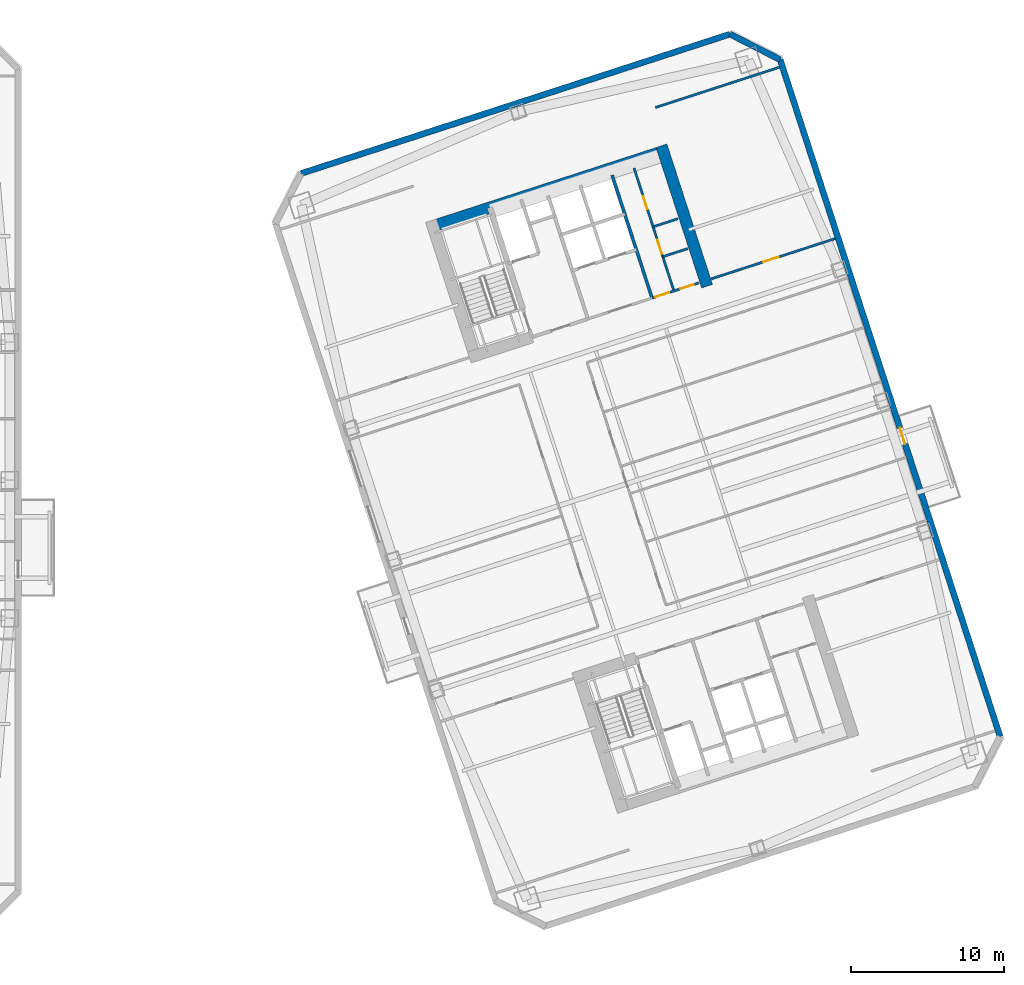
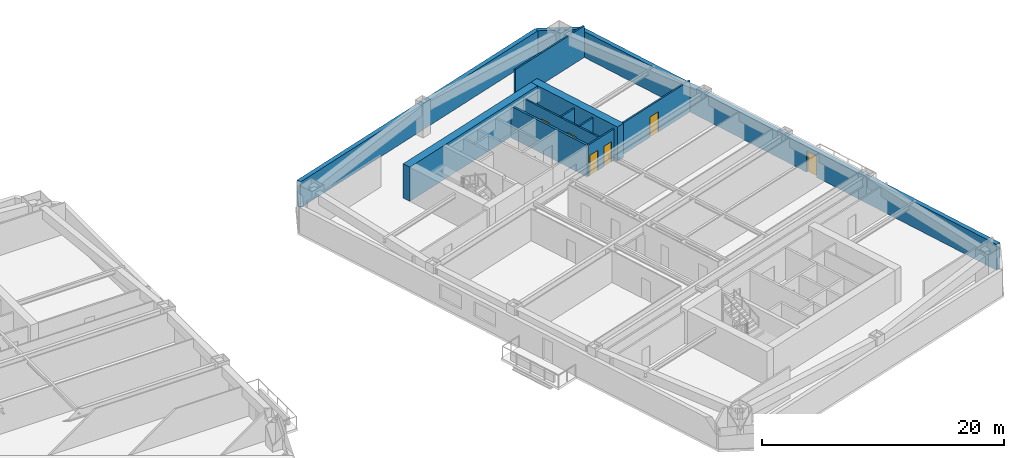
# One storey, part 10 of 15: 12 walls, 6 doors, 6 openings.
"""IFC4 building model written with IfcOpenShell, lengths in metres."""

from ifc_helpers import new_model, si_unit, direction, frame, frame_2d, origin, place, context, subcontext, project, spatial, rectangle, extrude, material, layer, layer_set, type_object, element, fill, save


model = new_model("IFC4")

# Units and contexts
model_context = context("Model", 3, precision=1e-05, world=origin(), true_north=direction((0.0, 1.0)))
body_context = subcontext(model_context, "Body", "Model", "MODEL_VIEW")
ifc_project = project(units=[si_unit("LENGTHUNIT", "METRE"), si_unit("AREAUNIT", "SQUARE_METRE"), si_unit("VOLUMEUNIT", "CUBIC_METRE"), si_unit("PLANEANGLEUNIT", "RADIAN"), si_unit("MASSUNIT", "GRAM", prefix="KILO")], contexts=[model_context])

# Site, building, storey
site_placement = place(None, origin())
site = spatial("IfcSite", under=ifc_project, at=site_placement, CompositionType="ELEMENT")
building_placement = place(site_placement, origin())
building = spatial("IfcBuilding", under=site, at=building_placement, Name="Qiaolan Cultural Towers", CompositionType="ELEMENT")
storey_placement = place(building_placement, frame((0.0, 0.0, 81.64990234375)))
storey = spatial("IfcBuildingStorey", under=building, at=storey_placement, Name="L20", CompositionType="ELEMENT", Elevation=81.64990234375)

# Walls
ifc_material_1 = material(Name="Concrete C60", Category="concrete")
ifc_layer_1 = layer(ifc_material_1, 0.75)
ifc_layer_set_1 = layer_set([ifc_layer_1], Name="Concrete C60")
wall_type_1 = type_object("IfcWallType", Name="WL-CORE-750", PredefinedType="SHEAR", material=ifc_layer_set_1)
wall_1_placement = place(storey_placement, frame((76.27197265625, 50.442626953125, 0.0), z_axis=(0.0, 0.0, 1.0), x_axis=(0.951056072937, 0.309018358888, 0.0)))
element("IfcWall", 1, at=wall_1_placement, inside=storey, type_object=wall_type_1, Name="L20 T2-CN Outer Core Shear Wall", PredefinedType="SHEAR", context=body_context, shape_type="SweptSolid", body=[
    extrude(rectangle(XDim=16.550048828125, YDim=0.75, at=frame_2d((8.27490234375, 0.0))), origin(), (0.0, 0.0, 1.0), 3.4501953125),
])
wall_2_placement = place(storey_placement, frame((94.515380859375, 46.638916015625, 0.0), z_axis=(0.0, 0.0, 1.0), x_axis=(-0.309016134813, 0.951056795583, 0.0)))
element("IfcWall", 2, at=wall_2_placement, inside=storey, type_object=wall_type_1, Name="L20 T2-CN East Core Shear Wall", PredefinedType="SHEAR", context=body_context, shape_type="SweptSolid", body=[
    extrude(rectangle(XDim=9.630126953125, YDim=0.75, at=frame_2d((4.81494140625, 0.0))), origin(), (0.0, 0.0, 1.0), 3.4501953125),
])
ifc_material_2 = material(Name="Precast Concrete C50 Honed Stone Pier", Category="masonry")
ifc_layer_2 = layer(ifc_material_2, 0.39990234375)
ifc_layer_set_2 = layer_set([ifc_layer_2], Name="Precast Concrete C50 Honed Stone Pier")
wall_type_2 = type_object("IfcWallType", Name="WL-EXT-PIER-400", PredefinedType="SOLIDWALL", material=ifc_layer_set_2)
wall_3_placement = place(storey_placement, frame((68.046875, 53.99462890625, 0.0), z_axis=(0.0, 0.0, 1.0), x_axis=(0.95105505922, 0.309021478754, 0.0)))
element("IfcWall", 3, at=wall_3_placement, inside=storey, type_object=wall_type_2, Name="L20 East Tower Precast Pier Facade Wall F3", PredefinedType="SOLIDWALL", context=body_context, shape_type="SweptSolid", body=[
    extrude(rectangle(XDim=29.39990234375, YDim=0.39990234375, at=frame_2d((14.699951171875, 0.0))), origin(), (0.0, 0.0, 1.0), 2.610107421875),
])
wall_4_placement = place(storey_placement, frame((96.0078125, 63.079833984375, 0.0), z_axis=(0.0, 0.0, 1.0), x_axis=(0.891001999643, -0.45399937955, 0.0)))
element("IfcWall", 4, at=wall_4_placement, inside=storey, type_object=wall_type_2, Name="L20 East Tower Precast Pier Facade Wall F4", PredefinedType="SOLIDWALL", context=body_context, shape_type="SweptSolid", body=[
    extrude(rectangle(XDim=3.67724609375, YDim=0.39990234375, at=frame_2d((1.838623046875, 0.0))), origin(), (0.0, 0.0, 1.0), 2.610107421875),
])

# Wall, opening, door
wall_5_placement = place(storey_placement, frame((99.2841796875, 61.410400390625, 0.0), z_axis=(0.0, 0.0, 1.0), x_axis=(0.309017542002, -0.95105633836, 0.0)))
wall_5 = element("IfcWall", 5, at=wall_5_placement, inside=storey, type_object=wall_type_2, Name="L20 East Tower Precast Pier Facade Wall F5", PredefinedType="SOLIDWALL", context=body_context, shape_type="SweptSolid", body=[
    extrude(rectangle(XDim=46.39990234375, YDim=0.39990234375, at=frame_2d((23.199951171875, 0.0))), origin(), (0.0, 0.0, 1.0), 2.610107421875),
])
opening_1_placement = place(wall_5_placement, frame((25.25, 0.0, 0.0)))
opening_1 = element("IfcOpeningElement", 6, at=opening_1_placement, cuts=wall_5, Name="Opening BD-01", PredefinedType="OPENING", context=body_context, shape_type="SweptSolid", body=[
    extrude(rectangle(XDim=1.10009765625, YDim=2.14990234375, at=frame_2d((0.550048828125, 1.074951171875))), frame((0.0, 0.2099609375, 0.0), z_axis=(0.0, -1.0, 0.0), x_axis=(1.0, 0.0, 0.0)), (0.0, 0.0, 1.0), 0.419921875),
])
ifc_material_3 = material(Name="Thermally Broken Aluminium Glazed Terrace Door", Category="aluminium")
door_type_1 = type_object("IfcDoorType", Name="DR-BAL-1100", OperationType="NOTDEFINED", PredefinedType="DOOR", material=ifc_material_3)
door_1_placement = place(opening_1_placement, origin())
door_1 = element("IfcDoor", 7, at=door_1_placement, inside=storey, type_object=door_type_1, Name="L20 T2 East Tree Balcony Door", OperationType="SINGLE_SWING_RIGHT", OverallHeight=2.14990234375, OverallWidth=1.10009765625, PredefinedType="DOOR", context=body_context, shape_type="SweptSolid", body=[
    extrude(rectangle(XDim=1.10009765625, YDim=2.14990234375, at=frame_2d((0.550048828125, 1.074951171875))), frame((0.0, 0.02490234375, 0.0), z_axis=(0.0, -1.0, 0.0), x_axis=(1.0, 0.0, 0.0)), (0.0, 0.0, 1.0), 0.050048828125),
])
fill(opening_1, door_1)

# Wall
ifc_material_4 = material(Name="Concrete C35 Fire Wall", Category="concrete")
ifc_layer_3 = layer(ifc_material_4, 0.199951171875)
ifc_layer_set_3 = layer_set([ifc_layer_3], Name="Concrete C35 Fire Wall")
wall_type_3 = type_object("IfcWallType", Name="WL-FIRE-200", PredefinedType="PARTITIONING", material=ifc_layer_set_3)
wall_6_placement = place(storey_placement, frame((90.92822265625, 45.86767578125, 0.0), z_axis=(0.0, 0.0, 1.0), x_axis=(-0.309042196757, 0.951048327176, 0.0)))
element("IfcWall", 8, at=wall_6_placement, inside=storey, type_object=wall_type_3, Name="L20 T2-CN Lift Core East Wall", PredefinedType="PARTITIONING", context=body_context, shape_type="SweptSolid", body=[
    extrude(rectangle(XDim=8.429931640625, YDim=0.199951171875, at=frame_2d((4.21484375, 0.0))), origin(), (0.0, 0.0, 1.0), 3.175048828125),
])

# Wall, openings, doors
ifc_material_5 = material(Name="Autoclaved Aerated Concrete Block B06", Category="concrete")
ifc_layer_4 = layer(ifc_material_5, 0.14990234375)
ifc_layer_set_4 = layer_set([ifc_layer_4], Name="Autoclaved Aerated Concrete Block B06")
wall_type_4 = type_object("IfcWallType", Name="WL-PART-150", PredefinedType="PARTITIONING", material=ifc_layer_set_4)
wall_7_placement = place(storey_placement, frame((90.92822265625, 45.86767578125, 0.0), z_axis=(0.0, 0.0, 1.0), x_axis=(0.951059297078, 0.309008435874, 0.0)))
wall_7 = element("IfcWall", 9, at=wall_7_placement, inside=storey, type_object=wall_type_4, Name="L20 T2-CN Sanitary Core Front Wall", PredefinedType="PARTITIONING", context=body_context, shape_type="SweptSolid", body=[
    extrude(rectangle(XDim=3.19970703125, YDim=0.14990234375, at=frame_2d((1.599853515625, 0.0))), origin(), (0.0, 0.0, 1.0), 3.175048828125),
])
opening_2_placement = place(wall_7_placement, frame((0.219970703125, 0.0, 0.0)))
opening_2 = element("IfcOpeningElement", 10, at=opening_2_placement, cuts=wall_7, Name="Opening ID-05", PredefinedType="OPENING", context=body_context, shape_type="SweptSolid", body=[
    extrude(rectangle(XDim=0.949951171875, YDim=2.050048828125, at=frame_2d((0.47509765625, 1.02490234375))), frame((0.0, 0.0849609375, 0.0), z_axis=(0.0, -1.0, 0.0), x_axis=(1.0, 0.0, 0.0)), (0.0, 0.0, 1.0), 0.169921875),
])
opening_3_placement = place(wall_7_placement, frame((1.949951171875, 0.0, 0.0)))
opening_3 = element("IfcOpeningElement", 11, at=opening_3_placement, cuts=wall_7, Name="Opening ID-06", PredefinedType="OPENING", context=body_context, shape_type="SweptSolid", body=[
    extrude(rectangle(XDim=0.89990234375, YDim=2.050048828125, at=frame_2d((0.449951171875, 1.02490234375))), frame((0.0, 0.0849609375, 0.0), z_axis=(0.0, -1.0, 0.0), x_axis=(1.0, 0.0, 0.0)), (0.0, 0.0, 1.0), 0.169921875),
])
ifc_material_6 = material(Name="Fire-Rated Laminate Core Service Door", Category="timber")
door_type_2 = type_object("IfcDoorType", Name="DR-INT-900", OperationType="NOTDEFINED", PredefinedType="DOOR", material=ifc_material_6)
door_2_placement = place(opening_3_placement, origin())
door_2 = element("IfcDoor", 12, at=door_2_placement, inside=storey, type_object=door_type_2, Name="L20 Core Tea Pantry Door", OperationType="SINGLE_SWING_RIGHT", OverallHeight=2.050048828125, OverallWidth=0.89990234375, PredefinedType="DOOR", context=body_context, shape_type="SweptSolid", body=[
    extrude(rectangle(XDim=0.89990234375, YDim=2.050048828125, at=frame_2d((0.449951171875, 1.02490234375))), frame((0.0, 0.02490234375, 0.0), z_axis=(0.0, -1.0, 0.0), x_axis=(1.0, 0.0, 0.0)), (0.0, 0.0, 1.0), 0.050048828125),
])
fill(opening_3, door_2)
ifc_material_7 = material(Name="Fire-Rated Laminate Accessible Core Door", Category="timber")
door_type_3 = type_object("IfcDoorType", Name="DR-INT-950", OperationType="NOTDEFINED", PredefinedType="DOOR", material=ifc_material_7)
door_3_placement = place(opening_2_placement, origin())
door_3 = element("IfcDoor", 13, at=door_3_placement, inside=storey, type_object=door_type_3, Name="L20 Sanitary Passage Door", OperationType="SINGLE_SWING_LEFT", OverallHeight=2.050048828125, OverallWidth=0.949951171875, PredefinedType="DOOR", context=body_context, shape_type="SweptSolid", body=[
    extrude(rectangle(XDim=0.949951171875, YDim=2.050048828125, at=frame_2d((0.47509765625, 1.02490234375))), frame((0.0, 0.02490234375, 0.0), z_axis=(0.0, -1.0, 0.0), x_axis=(1.0, 0.0, 0.0)), (0.0, 0.0, 1.0), 0.050048828125),
])
fill(opening_2, door_3)

wall_8_placement = place(storey_placement, frame((92.354736328125, 46.3310546875, 0.0), z_axis=(0.0, 0.0, 1.0), x_axis=(-0.309007490203, 0.951059604335, 0.0)))
wall_8 = element("IfcWall", 14, at=wall_8_placement, inside=storey, type_object=wall_type_4, Name="L20 T2-CN Sanitary Corridor Wall", PredefinedType="PARTITIONING", context=body_context, shape_type="SweptSolid", body=[
    extrude(rectangle(XDim=8.43017578125, YDim=0.14990234375, at=frame_2d((4.215087890625, 0.0))), origin(), (0.0, 0.0, 1.0), 3.175048828125),
])
opening_4_placement = place(wall_8_placement, frame((2.550048828125, 0.0, 0.0)))
opening_4 = element("IfcOpeningElement", 15, at=opening_4_placement, cuts=wall_8, Name="Opening ID-05", PredefinedType="OPENING", context=body_context, shape_type="SweptSolid", body=[
    extrude(rectangle(XDim=0.949951171875, YDim=2.050048828125, at=frame_2d((0.47509765625, 1.02490234375))), frame((0.0, 0.0849609375, 0.0), z_axis=(0.0, -1.0, 0.0), x_axis=(1.0, 0.0, 0.0)), (0.0, 0.0, 1.0), 0.169921875),
])
opening_5_placement = place(wall_8_placement, frame((5.60009765625, 0.0, 0.0)))
opening_5 = element("IfcOpeningElement", 16, at=opening_5_placement, cuts=wall_8, Name="Opening ID-06", PredefinedType="OPENING", context=body_context, shape_type="SweptSolid", body=[
    extrude(rectangle(XDim=0.89990234375, YDim=2.050048828125, at=frame_2d((0.449951171875, 1.02490234375))), frame((0.0, 0.0849609375, 0.0), z_axis=(0.0, -1.0, 0.0), x_axis=(1.0, 0.0, 0.0)), (0.0, 0.0, 1.0), 0.169921875),
])
door_4_placement = place(opening_5_placement, origin())
door_4 = element("IfcDoor", 17, at=door_4_placement, inside=storey, type_object=door_type_2, Name="L20 Staff Restroom Door", OperationType="SINGLE_SWING_RIGHT", OverallHeight=2.050048828125, OverallWidth=0.89990234375, PredefinedType="DOOR", context=body_context, shape_type="SweptSolid", body=[
    extrude(rectangle(XDim=0.89990234375, YDim=2.050048828125, at=frame_2d((0.449951171875, 1.02490234375))), frame((0.0, 0.02490234375, 0.0), z_axis=(0.0, -1.0, 0.0), x_axis=(1.0, 0.0, 0.0)), (0.0, 0.0, 1.0), 0.050048828125),
])
fill(opening_5, door_4)
door_5_placement = place(opening_4_placement, origin())
door_5 = element("IfcDoor", 18, at=door_5_placement, inside=storey, type_object=door_type_3, Name="L20 Accessible Washroom Door", OperationType="SINGLE_SWING_LEFT", OverallHeight=2.050048828125, OverallWidth=0.949951171875, PredefinedType="DOOR", context=body_context, shape_type="SweptSolid", body=[
    extrude(rectangle(XDim=0.949951171875, YDim=2.050048828125, at=frame_2d((0.47509765625, 1.02490234375))), frame((0.0, 0.02490234375, 0.0), z_axis=(0.0, -1.0, 0.0), x_axis=(1.0, 0.0, 0.0)), (0.0, 0.0, 1.0), 0.050048828125),
])
fill(opening_4, door_5)

# Walls
wall_9_placement = place(storey_placement, frame((90.9951171875, 50.515869140625, 0.0), z_axis=(0.0, 0.0, 1.0), x_axis=(0.951040401051, 0.309066587596, 0.0)))
element("IfcWall", 19, at=wall_9_placement, inside=storey, type_object=wall_type_4, Name="L20 T2-CN Restroom Split Wall", PredefinedType="PARTITIONING", context=body_context, shape_type="SweptSolid", body=[
    extrude(rectangle(XDim=1.699951171875, YDim=0.14990234375, at=frame_2d((0.85009765625, 0.0))), origin(), (0.0, 0.0, 1.0), 3.175048828125),
])
wall_10_placement = place(storey_placement, frame((91.62841796875, 48.566162109375, 0.0), z_axis=(0.0, 0.0, 1.0), x_axis=(0.951054116971, 0.309024378638, 0.0)))
element("IfcWall", 20, at=wall_10_placement, inside=storey, type_object=wall_type_4, Name="L20 T2-CN Core Pantry Wall", PredefinedType="PARTITIONING", context=body_context, shape_type="SweptSolid", body=[
    extrude(rectangle(XDim=1.7001953125, YDim=0.14990234375, at=frame_2d((0.85009765625, 0.0))), origin(), (0.0, 0.0, 1.0), 3.175048828125),
])
wall_11_placement = place(storey_placement, frame((91.14892578125, 58.294189453125, 0.0), z_axis=(0.0, 0.0, 1.0), x_axis=(0.951062770994, 0.308997743729, 0.0)))
element("IfcWall", 21, at=wall_11_placement, inside=storey, type_object=wall_type_4, Name="L20 T2 Flank Wall FLK-NE", PredefinedType="PARTITIONING", context=body_context, shape_type="SweptSolid", body=[
    extrude(rectangle(XDim=8.5, YDim=0.14990234375, at=frame_2d((4.25, 0.0))), origin(), (0.0, 0.0, 1.0), 3.175048828125),
])

# Wall, opening, door
wall_12_placement = place(storey_placement, frame((94.77978515625, 47.119140625, 0.0), z_axis=(0.0, 0.0, 1.0), x_axis=(0.951054329824, 0.309023723562, 0.0)))
wall_12 = element("IfcWall", 22, at=wall_12_placement, inside=storey, type_object=wall_type_4, Name="L20 T2 Flank Front FLK-NE", PredefinedType="PARTITIONING", context=body_context, shape_type="SweptSolid", body=[
    extrude(rectangle(XDim=8.5, YDim=0.14990234375, at=frame_2d((4.25, 0.0))), origin(), (0.0, 0.0, 1.0), 3.175048828125),
])
opening_6_placement = place(wall_12_placement, frame((3.570068359375, 0.0, 0.0)))
opening_6 = element("IfcOpeningElement", 23, at=opening_6_placement, cuts=wall_12, Name="Opening ID-07", PredefinedType="OPENING", context=body_context, shape_type="SweptSolid", body=[
    extrude(rectangle(XDim=1.050048828125, YDim=2.050048828125, at=frame_2d((0.52490234375, 1.02490234375))), frame((0.0, 0.0849609375, 0.0), z_axis=(0.0, -1.0, 0.0), x_axis=(1.0, 0.0, 0.0)), (0.0, 0.0, 1.0), 0.169921875),
])
ifc_material_8 = material(Name="Oak Veneer Consultation Door", Category="timber")
door_type_4 = type_object("IfcDoorType", Name="DR-INT-1050", OperationType="NOTDEFINED", PredefinedType="DOOR", material=ifc_material_8)
door_6_placement = place(opening_6_placement, origin())
door_6 = element("IfcDoor", 24, at=door_6_placement, inside=storey, type_object=door_type_4, Name="L20 T2 Corner Studio Door", OperationType="SINGLE_SWING_LEFT", OverallHeight=2.050048828125, OverallWidth=1.050048828125, PredefinedType="DOOR", context=body_context, shape_type="SweptSolid", body=[
    extrude(rectangle(XDim=1.050048828125, YDim=2.050048828125, at=frame_2d((0.52490234375, 1.02490234375))), frame((0.0, 0.02490234375, 0.0), z_axis=(0.0, -1.0, 0.0), x_axis=(1.0, 0.0, 0.0)), (0.0, 0.0, 1.0), 0.050048828125),
])
fill(opening_6, door_6)

save(model, "model.ifc")
